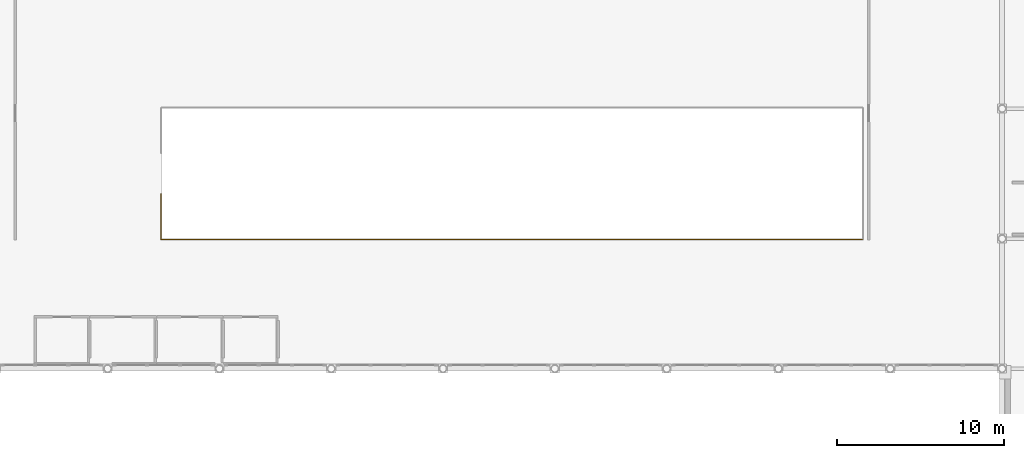
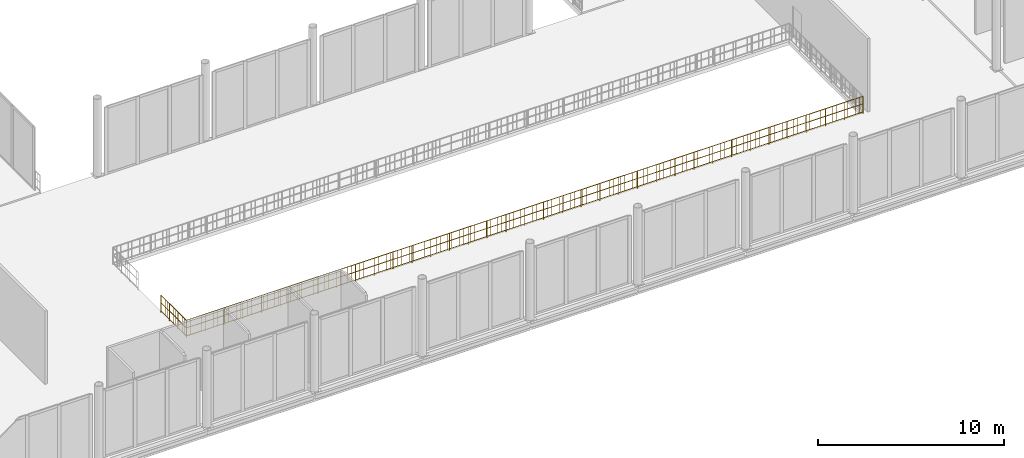
# One storey, part 95 of 105: 2 railings.
"""IFC4 building model written with IfcOpenShell, lengths in metres."""

from ifc_helpers import new_model, si_unit, direction, frame, origin, origin_2d, place, context, subcontext, project, spatial, circle, extrude, material, layer, layer_set, type_object, element, save


model = new_model("IFC4")

# Units and contexts
model_context = context("Model", 3, precision=1e-05, world=origin(), true_north=direction((0.0, 1.0)))
body_context = subcontext(model_context, "Body", "Model", "MODEL_VIEW")
ifc_project = project(units=[si_unit("LENGTHUNIT", "METRE"), si_unit("AREAUNIT", "SQUARE_METRE"), si_unit("VOLUMEUNIT", "CUBIC_METRE"), si_unit("PLANEANGLEUNIT", "RADIAN"), si_unit("MASSUNIT", "GRAM", prefix="KILO")], contexts=[model_context])

# Site, building, storey
site_placement = place(None, origin())
site = spatial("IfcSite", under=ifc_project, at=site_placement, CompositionType="ELEMENT")
building_placement = place(site_placement, origin())
building = spatial("IfcBuilding", under=site, at=building_placement, Name="Nabrawat Pavilion Hospital", CompositionType="ELEMENT")
storey_placement = place(building_placement, frame((0.0, 0.0, 5.10009765625)))
storey = spatial("IfcBuildingStorey", under=building, at=storey_placement, Name="L01", CompositionType="ELEMENT", Elevation=5.10009765625)

# Railings
ifc_material = material(Name="Laminated Toughened Glass and Stainless Steel", Category="steel")
ifc_layer = layer(ifc_material, 0.080078125, Name="Laminated Toughened Glass and Stainless Steel")
ifc_layer_set = layer_set([ifc_layer], Name="Laminated Toughened Glass and Stainless Steel")
railing_type = type_object("IfcRailingType", Name="Main Hall Atrium Void Glass Balustrade 1150", PredefinedType="BALUSTRADE", material=ifc_layer_set)
railing_1_placement = place(storey_placement, frame((75.5400390625, 23.340087890625, 0.0)))
element("IfcRailing", 1, at=railing_1_placement, inside=storey, type_object=railing_type, Name="L01 Main Hall Atrium Gallery Balustrade South", PredefinedType="BALUSTRADE", context=body_context, shape_type="SweptSolid", body=[
    extrude(circle(Radius=0.02392578125, at=origin_2d()), frame((0.0, 0.0, 1.1259765625), z_axis=(1.0, 0.0, 0.0), x_axis=(0.0, 1.0, 0.0)), (0.0, 0.0, 1.0), 42.119873046875),
    extrude(circle(Radius=0.02392578125, at=origin_2d()), frame((0.0, 0.0, 0.10009765625), z_axis=(1.0, 0.0, 0.0), x_axis=(0.0, 1.0, 0.0)), (0.0, 0.0, 1.0), 42.119873046875),
    extrude(circle(Radius=0.02392578125, at=origin_2d()), frame((0.0, 0.0, 0.63232421875), z_axis=(1.0, 0.0, 0.0), x_axis=(0.0, 1.0, 0.0)), (0.0, 0.0, 1.0), 42.119873046875),
    extrude(circle(Radius=0.008056640625, at=origin_2d()), frame((0.2392578125, 0.0, 0.10009765625)), (0.0, 0.0, 1.0), 1.001708984375),
    extrude(circle(Radius=0.008056640625, at=origin_2d()), frame((0.478515625, 0.0, 0.10009765625)), (0.0, 0.0, 1.0), 1.001708984375),
    extrude(circle(Radius=0.008056640625, at=origin_2d()), frame((0.718017578125, 0.0, 0.10009765625)), (0.0, 0.0, 1.0), 1.001708984375),
    extrude(circle(Radius=0.008056640625, at=origin_2d()), frame((0.957275390625, 0.0, 0.10009765625)), (0.0, 0.0, 1.0), 1.001708984375),
    extrude(circle(Radius=0.008056640625, at=origin_2d()), frame((1.435791015625, 0.0, 0.10009765625)), (0.0, 0.0, 1.0), 1.001708984375),
    extrude(circle(Radius=0.008056640625, at=origin_2d()), frame((1.67529296875, 0.0, 0.10009765625)), (0.0, 0.0, 1.0), 1.001708984375),
    extrude(circle(Radius=0.008056640625, at=origin_2d()), frame((1.91455078125, 0.0, 0.10009765625)), (0.0, 0.0, 1.0), 1.001708984375),
    extrude(circle(Radius=0.008056640625, at=origin_2d()), frame((2.15380859375, 0.0, 0.10009765625)), (0.0, 0.0, 1.0), 1.001708984375),
    extrude(circle(Radius=0.008056640625, at=origin_2d()), frame((2.39306640625, 0.0, 0.10009765625)), (0.0, 0.0, 1.0), 1.001708984375),
    extrude(circle(Radius=0.008056640625, at=origin_2d()), frame((2.632568359375, 0.0, 0.10009765625)), (0.0, 0.0, 1.0), 1.001708984375),
    extrude(circle(Radius=0.008056640625, at=origin_2d()), frame((2.871826171875, 0.0, 0.10009765625)), (0.0, 0.0, 1.0), 1.001708984375),
    extrude(circle(Radius=0.008056640625, at=origin_2d()), frame((3.111083984375, 0.0, 0.10009765625)), (0.0, 0.0, 1.0), 1.001708984375),
    extrude(circle(Radius=0.008056640625, at=origin_2d()), frame((3.350341796875, 0.0, 0.10009765625)), (0.0, 0.0, 1.0), 1.001708984375),
    extrude(circle(Radius=0.008056640625, at=origin_2d()), frame((3.58984375, 0.0, 0.10009765625)), (0.0, 0.0, 1.0), 1.001708984375),
    extrude(circle(Radius=0.008056640625, at=origin_2d()), frame((3.8291015625, 0.0, 0.10009765625)), (0.0, 0.0, 1.0), 1.001708984375),
    extrude(circle(Radius=0.008056640625, at=origin_2d()), frame((4.068359375, 0.0, 0.10009765625)), (0.0, 0.0, 1.0), 1.001708984375),
    extrude(circle(Radius=0.008056640625, at=origin_2d()), frame((4.3076171875, 0.0, 0.10009765625)), (0.0, 0.0, 1.0), 1.001708984375),
    extrude(circle(Radius=0.008056640625, at=origin_2d()), frame((4.547119140625, 0.0, 0.10009765625)), (0.0, 0.0, 1.0), 1.001708984375),
    extrude(circle(Radius=0.008056640625, at=origin_2d()), frame((4.786376953125, 0.0, 0.10009765625)), (0.0, 0.0, 1.0), 1.001708984375),
    extrude(circle(Radius=0.008056640625, at=origin_2d()), frame((5.025634765625, 0.0, 0.10009765625)), (0.0, 0.0, 1.0), 1.001708984375),
    extrude(circle(Radius=0.008056640625, at=origin_2d()), frame((5.264892578125, 0.0, 0.10009765625)), (0.0, 0.0, 1.0), 1.001708984375),
    extrude(circle(Radius=0.008056640625, at=origin_2d()), frame((5.50439453125, 0.0, 0.10009765625)), (0.0, 0.0, 1.0), 1.001708984375),
    extrude(circle(Radius=0.008056640625, at=origin_2d()), frame((5.74365234375, 0.0, 0.10009765625)), (0.0, 0.0, 1.0), 1.001708984375),
    extrude(circle(Radius=0.008056640625, at=origin_2d()), frame((5.98291015625, 0.0, 0.10009765625)), (0.0, 0.0, 1.0), 1.001708984375),
    extrude(circle(Radius=0.008056640625, at=origin_2d()), frame((6.22216796875, 0.0, 0.10009765625)), (0.0, 0.0, 1.0), 1.001708984375),
    extrude(circle(Radius=0.008056640625, at=origin_2d()), frame((6.461669921875, 0.0, 0.10009765625)), (0.0, 0.0, 1.0), 1.001708984375),
    extrude(circle(Radius=0.008056640625, at=origin_2d()), frame((6.700927734375, 0.0, 0.10009765625)), (0.0, 0.0, 1.0), 1.001708984375),
    extrude(circle(Radius=0.008056640625, at=origin_2d()), frame((6.940185546875, 0.0, 0.10009765625)), (0.0, 0.0, 1.0), 1.001708984375),
    extrude(circle(Radius=0.008056640625, at=origin_2d()), frame((7.179443359375, 0.0, 0.10009765625)), (0.0, 0.0, 1.0), 1.001708984375),
    extrude(circle(Radius=0.008056640625, at=origin_2d()), frame((7.4189453125, 0.0, 0.10009765625)), (0.0, 0.0, 1.0), 1.001708984375),
    extrude(circle(Radius=0.008056640625, at=origin_2d()), frame((7.658203125, 0.0, 0.10009765625)), (0.0, 0.0, 1.0), 1.001708984375),
    extrude(circle(Radius=0.008056640625, at=origin_2d()), frame((7.8974609375, 0.0, 0.10009765625)), (0.0, 0.0, 1.0), 1.001708984375),
    extrude(circle(Radius=0.008056640625, at=origin_2d()), frame((8.13671875, 0.0, 0.10009765625)), (0.0, 0.0, 1.0), 1.001708984375),
    extrude(circle(Radius=0.008056640625, at=origin_2d()), frame((8.376220703125, 0.0, 0.10009765625)), (0.0, 0.0, 1.0), 1.001708984375),
    extrude(circle(Radius=0.008056640625, at=origin_2d()), frame((8.615478515625, 0.0, 0.10009765625)), (0.0, 0.0, 1.0), 1.001708984375),
    extrude(circle(Radius=0.008056640625, at=origin_2d()), frame((8.854736328125, 0.0, 0.10009765625)), (0.0, 0.0, 1.0), 1.001708984375),
    extrude(circle(Radius=0.008056640625, at=origin_2d()), frame((9.093994140625, 0.0, 0.10009765625)), (0.0, 0.0, 1.0), 1.001708984375),
    extrude(circle(Radius=0.008056640625, at=origin_2d()), frame((9.57275390625, 0.0, 0.10009765625)), (0.0, 0.0, 1.0), 1.001708984375),
    extrude(circle(Radius=0.008056640625, at=origin_2d()), frame((9.81201171875, 0.0, 0.10009765625)), (0.0, 0.0, 1.0), 1.001708984375),
    extrude(circle(Radius=0.008056640625, at=origin_2d()), frame((10.05126953125, 0.0, 0.10009765625)), (0.0, 0.0, 1.0), 1.001708984375),
    extrude(circle(Radius=0.008056640625, at=origin_2d()), frame((10.290771484375, 0.0, 0.10009765625)), (0.0, 0.0, 1.0), 1.001708984375),
    extrude(circle(Radius=0.008056640625, at=origin_2d()), frame((10.769287109375, 0.0, 0.10009765625)), (0.0, 0.0, 1.0), 1.001708984375),
    extrude(circle(Radius=0.008056640625, at=origin_2d()), frame((11.008544921875, 0.0, 0.10009765625)), (0.0, 0.0, 1.0), 1.001708984375),
    extrude(circle(Radius=0.008056640625, at=origin_2d()), frame((11.247802734375, 0.0, 0.10009765625)), (0.0, 0.0, 1.0), 1.001708984375),
    extrude(circle(Radius=0.008056640625, at=origin_2d()), frame((11.4873046875, 0.0, 0.10009765625)), (0.0, 0.0, 1.0), 1.001708984375),
    extrude(circle(Radius=0.008056640625, at=origin_2d()), frame((11.9658203125, 0.0, 0.10009765625)), (0.0, 0.0, 1.0), 1.001708984375),
    extrude(circle(Radius=0.008056640625, at=origin_2d()), frame((12.205078125, 0.0, 0.10009765625)), (0.0, 0.0, 1.0), 1.001708984375),
    extrude(circle(Radius=0.008056640625, at=origin_2d()), frame((12.444580078125, 0.0, 0.10009765625)), (0.0, 0.0, 1.0), 1.001708984375),
    extrude(circle(Radius=0.008056640625, at=origin_2d()), frame((12.683837890625, 0.0, 0.10009765625)), (0.0, 0.0, 1.0), 1.001708984375),
    extrude(circle(Radius=0.008056640625, at=origin_2d()), frame((12.923095703125, 0.0, 0.10009765625)), (0.0, 0.0, 1.0), 1.001708984375),
    extrude(circle(Radius=0.008056640625, at=origin_2d()), frame((13.162353515625, 0.0, 0.10009765625)), (0.0, 0.0, 1.0), 1.001708984375),
    extrude(circle(Radius=0.008056640625, at=origin_2d()), frame((13.40185546875, 0.0, 0.10009765625)), (0.0, 0.0, 1.0), 1.001708984375),
    extrude(circle(Radius=0.008056640625, at=origin_2d()), frame((13.64111328125, 0.0, 0.10009765625)), (0.0, 0.0, 1.0), 1.001708984375),
    extrude(circle(Radius=0.008056640625, at=origin_2d()), frame((13.88037109375, 0.0, 0.10009765625)), (0.0, 0.0, 1.0), 1.001708984375),
    extrude(circle(Radius=0.008056640625, at=origin_2d()), frame((14.11962890625, 0.0, 0.10009765625)), (0.0, 0.0, 1.0), 1.001708984375),
    extrude(circle(Radius=0.008056640625, at=origin_2d()), frame((14.359130859375, 0.0, 0.10009765625)), (0.0, 0.0, 1.0), 1.001708984375),
    extrude(circle(Radius=0.008056640625, at=origin_2d()), frame((14.598388671875, 0.0, 0.10009765625)), (0.0, 0.0, 1.0), 1.001708984375),
    extrude(circle(Radius=0.008056640625, at=origin_2d()), frame((14.837646484375, 0.0, 0.10009765625)), (0.0, 0.0, 1.0), 1.001708984375),
    extrude(circle(Radius=0.008056640625, at=origin_2d()), frame((15.076904296875, 0.0, 0.10009765625)), (0.0, 0.0, 1.0), 1.001708984375),
    extrude(circle(Radius=0.008056640625, at=origin_2d()), frame((15.31640625, 0.0, 0.10009765625)), (0.0, 0.0, 1.0), 1.001708984375),
    extrude(circle(Radius=0.008056640625, at=origin_2d()), frame((15.5556640625, 0.0, 0.10009765625)), (0.0, 0.0, 1.0), 1.001708984375),
    extrude(circle(Radius=0.008056640625, at=origin_2d()), frame((15.794921875, 0.0, 0.10009765625)), (0.0, 0.0, 1.0), 1.001708984375),
    extrude(circle(Radius=0.008056640625, at=origin_2d()), frame((16.0341796875, 0.0, 0.10009765625)), (0.0, 0.0, 1.0), 1.001708984375),
    extrude(circle(Radius=0.008056640625, at=origin_2d()), frame((16.273681640625, 0.0, 0.10009765625)), (0.0, 0.0, 1.0), 1.001708984375),
    extrude(circle(Radius=0.008056640625, at=origin_2d()), frame((16.512939453125, 0.0, 0.10009765625)), (0.0, 0.0, 1.0), 1.001708984375),
    extrude(circle(Radius=0.008056640625, at=origin_2d()), frame((16.752197265625, 0.0, 0.10009765625)), (0.0, 0.0, 1.0), 1.001708984375),
    extrude(circle(Radius=0.008056640625, at=origin_2d()), frame((16.991455078125, 0.0, 0.10009765625)), (0.0, 0.0, 1.0), 1.001708984375),
    extrude(circle(Radius=0.008056640625, at=origin_2d()), frame((17.23095703125, 0.0, 0.10009765625)), (0.0, 0.0, 1.0), 1.001708984375),
    extrude(circle(Radius=0.008056640625, at=origin_2d()), frame((17.47021484375, 0.0, 0.10009765625)), (0.0, 0.0, 1.0), 1.001708984375),
    extrude(circle(Radius=0.008056640625, at=origin_2d()), frame((17.70947265625, 0.0, 0.10009765625)), (0.0, 0.0, 1.0), 1.001708984375),
    extrude(circle(Radius=0.008056640625, at=origin_2d()), frame((17.94873046875, 0.0, 0.10009765625)), (0.0, 0.0, 1.0), 1.001708984375),
    extrude(circle(Radius=0.008056640625, at=origin_2d()), frame((18.188232421875, 0.0, 0.10009765625)), (0.0, 0.0, 1.0), 1.001708984375),
    extrude(circle(Radius=0.008056640625, at=origin_2d()), frame((18.427490234375, 0.0, 0.10009765625)), (0.0, 0.0, 1.0), 1.001708984375),
    extrude(circle(Radius=0.008056640625, at=origin_2d()), frame((18.666748046875, 0.0, 0.10009765625)), (0.0, 0.0, 1.0), 1.001708984375),
    extrude(circle(Radius=0.008056640625, at=origin_2d()), frame((18.906005859375, 0.0, 0.10009765625)), (0.0, 0.0, 1.0), 1.001708984375),
    extrude(circle(Radius=0.008056640625, at=origin_2d()), frame((19.1455078125, 0.0, 0.10009765625)), (0.0, 0.0, 1.0), 1.001708984375),
    extrude(circle(Radius=0.008056640625, at=origin_2d()), frame((19.384765625, 0.0, 0.10009765625)), (0.0, 0.0, 1.0), 1.001708984375),
    extrude(circle(Radius=0.008056640625, at=origin_2d()), frame((19.6240234375, 0.0, 0.10009765625)), (0.0, 0.0, 1.0), 1.001708984375),
    extrude(circle(Radius=0.008056640625, at=origin_2d()), frame((20.102783203125, 0.0, 0.10009765625)), (0.0, 0.0, 1.0), 1.001708984375),
    extrude(circle(Radius=0.008056640625, at=origin_2d()), frame((20.342041015625, 0.0, 0.10009765625)), (0.0, 0.0, 1.0), 1.001708984375),
    extrude(circle(Radius=0.008056640625, at=origin_2d()), frame((20.581298828125, 0.0, 0.10009765625)), (0.0, 0.0, 1.0), 1.001708984375),
    extrude(circle(Radius=0.008056640625, at=origin_2d()), frame((20.820556640625, 0.0, 0.10009765625)), (0.0, 0.0, 1.0), 1.001708984375),
    extrude(circle(Radius=0.008056640625, at=origin_2d()), frame((21.29931640625, 0.0, 0.10009765625)), (0.0, 0.0, 1.0), 1.001708984375),
    extrude(circle(Radius=0.008056640625, at=origin_2d()), frame((21.53857421875, 0.0, 0.10009765625)), (0.0, 0.0, 1.0), 1.001708984375),
    extrude(circle(Radius=0.008056640625, at=origin_2d()), frame((21.77783203125, 0.0, 0.10009765625)), (0.0, 0.0, 1.0), 1.001708984375),
    extrude(circle(Radius=0.008056640625, at=origin_2d()), frame((22.01708984375, 0.0, 0.10009765625)), (0.0, 0.0, 1.0), 1.001708984375),
    extrude(circle(Radius=0.008056640625, at=origin_2d()), frame((22.495849609375, 0.0, 0.10009765625)), (0.0, 0.0, 1.0), 1.001708984375),
    extrude(circle(Radius=0.008056640625, at=origin_2d()), frame((22.735107421875, 0.0, 0.10009765625)), (0.0, 0.0, 1.0), 1.001708984375),
    extrude(circle(Radius=0.008056640625, at=origin_2d()), frame((22.974365234375, 0.0, 0.10009765625)), (0.0, 0.0, 1.0), 1.001708984375),
    extrude(circle(Radius=0.008056640625, at=origin_2d()), frame((23.2138671875, 0.0, 0.10009765625)), (0.0, 0.0, 1.0), 1.001708984375),
    extrude(circle(Radius=0.008056640625, at=origin_2d()), frame((23.453125, 0.0, 0.10009765625)), (0.0, 0.0, 1.0), 1.001708984375),
    extrude(circle(Radius=0.008056640625, at=origin_2d()), frame((23.6923828125, 0.0, 0.10009765625)), (0.0, 0.0, 1.0), 1.001708984375),
    extrude(circle(Radius=0.008056640625, at=origin_2d()), frame((23.931640625, 0.0, 0.10009765625)), (0.0, 0.0, 1.0), 1.001708984375),
    extrude(circle(Radius=0.008056640625, at=origin_2d()), frame((24.171142578125, 0.0, 0.10009765625)), (0.0, 0.0, 1.0), 1.001708984375),
    extrude(circle(Radius=0.008056640625, at=origin_2d()), frame((24.410400390625, 0.0, 0.10009765625)), (0.0, 0.0, 1.0), 1.001708984375),
    extrude(circle(Radius=0.008056640625, at=origin_2d()), frame((24.649658203125, 0.0, 0.10009765625)), (0.0, 0.0, 1.0), 1.001708984375),
    extrude(circle(Radius=0.008056640625, at=origin_2d()), frame((24.888916015625, 0.0, 0.10009765625)), (0.0, 0.0, 1.0), 1.001708984375),
    extrude(circle(Radius=0.008056640625, at=origin_2d()), frame((25.12841796875, 0.0, 0.10009765625)), (0.0, 0.0, 1.0), 1.001708984375),
    extrude(circle(Radius=0.008056640625, at=origin_2d()), frame((25.36767578125, 0.0, 0.10009765625)), (0.0, 0.0, 1.0), 1.001708984375),
    extrude(circle(Radius=0.008056640625, at=origin_2d()), frame((25.60693359375, 0.0, 0.10009765625)), (0.0, 0.0, 1.0), 1.001708984375),
    extrude(circle(Radius=0.008056640625, at=origin_2d()), frame((25.84619140625, 0.0, 0.10009765625)), (0.0, 0.0, 1.0), 1.001708984375),
    extrude(circle(Radius=0.008056640625, at=origin_2d()), frame((26.085693359375, 0.0, 0.10009765625)), (0.0, 0.0, 1.0), 1.001708984375),
    extrude(circle(Radius=0.008056640625, at=origin_2d()), frame((26.324951171875, 0.0, 0.10009765625)), (0.0, 0.0, 1.0), 1.001708984375),
    extrude(circle(Radius=0.008056640625, at=origin_2d()), frame((26.564208984375, 0.0, 0.10009765625)), (0.0, 0.0, 1.0), 1.001708984375),
    extrude(circle(Radius=0.008056640625, at=origin_2d()), frame((26.803466796875, 0.0, 0.10009765625)), (0.0, 0.0, 1.0), 1.001708984375),
    extrude(circle(Radius=0.008056640625, at=origin_2d()), frame((27.04296875, 0.0, 0.10009765625)), (0.0, 0.0, 1.0), 1.001708984375),
    extrude(circle(Radius=0.008056640625, at=origin_2d()), frame((27.2822265625, 0.0, 0.10009765625)), (0.0, 0.0, 1.0), 1.001708984375),
    extrude(circle(Radius=0.008056640625, at=origin_2d()), frame((27.521484375, 0.0, 0.10009765625)), (0.0, 0.0, 1.0), 1.001708984375),
    extrude(circle(Radius=0.008056640625, at=origin_2d()), frame((27.7607421875, 0.0, 0.10009765625)), (0.0, 0.0, 1.0), 1.001708984375),
    extrude(circle(Radius=0.008056640625, at=origin_2d()), frame((28.000244140625, 0.0, 0.10009765625)), (0.0, 0.0, 1.0), 1.001708984375),
    extrude(circle(Radius=0.008056640625, at=origin_2d()), frame((28.239501953125, 0.0, 0.10009765625)), (0.0, 0.0, 1.0), 1.001708984375),
    extrude(circle(Radius=0.008056640625, at=origin_2d()), frame((28.478759765625, 0.0, 0.10009765625)), (0.0, 0.0, 1.0), 1.001708984375),
    extrude(circle(Radius=0.008056640625, at=origin_2d()), frame((28.718017578125, 0.0, 0.10009765625)), (0.0, 0.0, 1.0), 1.001708984375),
    extrude(circle(Radius=0.008056640625, at=origin_2d()), frame((28.95751953125, 0.0, 0.10009765625)), (0.0, 0.0, 1.0), 1.001708984375),
    extrude(circle(Radius=0.008056640625, at=origin_2d()), frame((29.19677734375, 0.0, 0.10009765625)), (0.0, 0.0, 1.0), 1.001708984375),
    extrude(circle(Radius=0.008056640625, at=origin_2d()), frame((29.43603515625, 0.0, 0.10009765625)), (0.0, 0.0, 1.0), 1.001708984375),
    extrude(circle(Radius=0.008056640625, at=origin_2d()), frame((29.67529296875, 0.0, 0.10009765625)), (0.0, 0.0, 1.0), 1.001708984375),
    extrude(circle(Radius=0.008056640625, at=origin_2d()), frame((29.914794921875, 0.0, 0.10009765625)), (0.0, 0.0, 1.0), 1.001708984375),
    extrude(circle(Radius=0.008056640625, at=origin_2d()), frame((30.154052734375, 0.0, 0.10009765625)), (0.0, 0.0, 1.0), 1.001708984375),
    extrude(circle(Radius=0.008056640625, at=origin_2d()), frame((30.632568359375, 0.0, 0.10009765625)), (0.0, 0.0, 1.0), 1.001708984375),
    extrude(circle(Radius=0.008056640625, at=origin_2d()), frame((30.8720703125, 0.0, 0.10009765625)), (0.0, 0.0, 1.0), 1.001708984375),
    extrude(circle(Radius=0.008056640625, at=origin_2d()), frame((31.111328125, 0.0, 0.10009765625)), (0.0, 0.0, 1.0), 1.001708984375),
    extrude(circle(Radius=0.008056640625, at=origin_2d()), frame((31.3505859375, 0.0, 0.10009765625)), (0.0, 0.0, 1.0), 1.001708984375),
    extrude(circle(Radius=0.008056640625, at=origin_2d()), frame((31.8291015625, 0.0, 0.10009765625)), (0.0, 0.0, 1.0), 1.001708984375),
    extrude(circle(Radius=0.008056640625, at=origin_2d()), frame((32.068603515625, 0.0, 0.10009765625)), (0.0, 0.0, 1.0), 1.001708984375),
    extrude(circle(Radius=0.008056640625, at=origin_2d()), frame((32.307861328125, 0.0, 0.10009765625)), (0.0, 0.0, 1.0), 1.001708984375),
    extrude(circle(Radius=0.008056640625, at=origin_2d()), frame((32.547119140625, 0.0, 0.10009765625)), (0.0, 0.0, 1.0), 1.001708984375),
    extrude(circle(Radius=0.008056640625, at=origin_2d()), frame((33.02587890625, 0.0, 0.10009765625)), (0.0, 0.0, 1.0), 1.001708984375),
    extrude(circle(Radius=0.008056640625, at=origin_2d()), frame((33.26513671875, 0.0, 0.10009765625)), (0.0, 0.0, 1.0), 1.001708984375),
    extrude(circle(Radius=0.008056640625, at=origin_2d()), frame((33.50439453125, 0.0, 0.10009765625)), (0.0, 0.0, 1.0), 1.001708984375),
    extrude(circle(Radius=0.008056640625, at=origin_2d()), frame((33.74365234375, 0.0, 0.10009765625)), (0.0, 0.0, 1.0), 1.001708984375),
    extrude(circle(Radius=0.008056640625, at=origin_2d()), frame((33.983154296875, 0.0, 0.10009765625)), (0.0, 0.0, 1.0), 1.001708984375),
    extrude(circle(Radius=0.008056640625, at=origin_2d()), frame((34.222412109375, 0.0, 0.10009765625)), (0.0, 0.0, 1.0), 1.001708984375),
    extrude(circle(Radius=0.008056640625, at=origin_2d()), frame((34.461669921875, 0.0, 0.10009765625)), (0.0, 0.0, 1.0), 1.001708984375),
    extrude(circle(Radius=0.008056640625, at=origin_2d()), frame((34.700927734375, 0.0, 0.10009765625)), (0.0, 0.0, 1.0), 1.001708984375),
    extrude(circle(Radius=0.008056640625, at=origin_2d()), frame((34.9404296875, 0.0, 0.10009765625)), (0.0, 0.0, 1.0), 1.001708984375),
    extrude(circle(Radius=0.008056640625, at=origin_2d()), frame((35.1796875, 0.0, 0.10009765625)), (0.0, 0.0, 1.0), 1.001708984375),
    extrude(circle(Radius=0.008056640625, at=origin_2d()), frame((35.4189453125, 0.0, 0.10009765625)), (0.0, 0.0, 1.0), 1.001708984375),
    extrude(circle(Radius=0.008056640625, at=origin_2d()), frame((35.658203125, 0.0, 0.10009765625)), (0.0, 0.0, 1.0), 1.001708984375),
    extrude(circle(Radius=0.008056640625, at=origin_2d()), frame((35.897705078125, 0.0, 0.10009765625)), (0.0, 0.0, 1.0), 1.001708984375),
    extrude(circle(Radius=0.008056640625, at=origin_2d()), frame((36.136962890625, 0.0, 0.10009765625)), (0.0, 0.0, 1.0), 1.001708984375),
    extrude(circle(Radius=0.008056640625, at=origin_2d()), frame((36.376220703125, 0.0, 0.10009765625)), (0.0, 0.0, 1.0), 1.001708984375),
    extrude(circle(Radius=0.008056640625, at=origin_2d()), frame((36.615478515625, 0.0, 0.10009765625)), (0.0, 0.0, 1.0), 1.001708984375),
    extrude(circle(Radius=0.008056640625, at=origin_2d()), frame((36.85498046875, 0.0, 0.10009765625)), (0.0, 0.0, 1.0), 1.001708984375),
    extrude(circle(Radius=0.008056640625, at=origin_2d()), frame((37.09423828125, 0.0, 0.10009765625)), (0.0, 0.0, 1.0), 1.001708984375),
    extrude(circle(Radius=0.008056640625, at=origin_2d()), frame((37.33349609375, 0.0, 0.10009765625)), (0.0, 0.0, 1.0), 1.001708984375),
    extrude(circle(Radius=0.008056640625, at=origin_2d()), frame((37.57275390625, 0.0, 0.10009765625)), (0.0, 0.0, 1.0), 1.001708984375),
    extrude(circle(Radius=0.008056640625, at=origin_2d()), frame((37.812255859375, 0.0, 0.10009765625)), (0.0, 0.0, 1.0), 1.001708984375),
    extrude(circle(Radius=0.008056640625, at=origin_2d()), frame((38.051513671875, 0.0, 0.10009765625)), (0.0, 0.0, 1.0), 1.001708984375),
    extrude(circle(Radius=0.008056640625, at=origin_2d()), frame((38.290771484375, 0.0, 0.10009765625)), (0.0, 0.0, 1.0), 1.001708984375),
    extrude(circle(Radius=0.008056640625, at=origin_2d()), frame((38.530029296875, 0.0, 0.10009765625)), (0.0, 0.0, 1.0), 1.001708984375),
    extrude(circle(Radius=0.008056640625, at=origin_2d()), frame((38.76953125, 0.0, 0.10009765625)), (0.0, 0.0, 1.0), 1.001708984375),
    extrude(circle(Radius=0.008056640625, at=origin_2d()), frame((39.0087890625, 0.0, 0.10009765625)), (0.0, 0.0, 1.0), 1.001708984375),
    extrude(circle(Radius=0.008056640625, at=origin_2d()), frame((39.248046875, 0.0, 0.10009765625)), (0.0, 0.0, 1.0), 1.001708984375),
    extrude(circle(Radius=0.008056640625, at=origin_2d()), frame((39.4873046875, 0.0, 0.10009765625)), (0.0, 0.0, 1.0), 1.001708984375),
    extrude(circle(Radius=0.008056640625, at=origin_2d()), frame((39.726806640625, 0.0, 0.10009765625)), (0.0, 0.0, 1.0), 1.001708984375),
    extrude(circle(Radius=0.008056640625, at=origin_2d()), frame((39.966064453125, 0.0, 0.10009765625)), (0.0, 0.0, 1.0), 1.001708984375),
    extrude(circle(Radius=0.008056640625, at=origin_2d()), frame((40.205322265625, 0.0, 0.10009765625)), (0.0, 0.0, 1.0), 1.001708984375),
    extrude(circle(Radius=0.008056640625, at=origin_2d()), frame((40.444580078125, 0.0, 0.10009765625)), (0.0, 0.0, 1.0), 1.001708984375),
    extrude(circle(Radius=0.008056640625, at=origin_2d()), frame((40.68408203125, 0.0, 0.10009765625)), (0.0, 0.0, 1.0), 1.001708984375),
    extrude(circle(Radius=0.008056640625, at=origin_2d()), frame((41.16259765625, 0.0, 0.10009765625)), (0.0, 0.0, 1.0), 1.001708984375),
    extrude(circle(Radius=0.008056640625, at=origin_2d()), frame((41.40185546875, 0.0, 0.10009765625)), (0.0, 0.0, 1.0), 1.001708984375),
    extrude(circle(Radius=0.008056640625, at=origin_2d()), frame((41.641357421875, 0.0, 0.10009765625)), (0.0, 0.0, 1.0), 1.001708984375),
    extrude(circle(Radius=0.008056640625, at=origin_2d()), frame((41.880615234375, 0.0, 0.10009765625)), (0.0, 0.0, 1.0), 1.001708984375),
    extrude(circle(Radius=0.02099609375, at=origin_2d()), origin(), (0.0, 0.0, 1.0), 1.101806640625),
    extrude(circle(Radius=0.02099609375, at=origin_2d()), frame((1.169921875, 0.0, 0.0)), (0.0, 0.0, 1.0), 1.101806640625),
    extrude(circle(Radius=0.02099609375, at=origin_2d()), frame((2.340087890625, 0.0, 0.0)), (0.0, 0.0, 1.0), 1.101806640625),
    extrude(circle(Radius=0.02099609375, at=origin_2d()), frame((3.510009765625, 0.0, 0.0)), (0.0, 0.0, 1.0), 1.101806640625),
    extrude(circle(Radius=0.02099609375, at=origin_2d()), frame((4.679931640625, 0.0, 0.0)), (0.0, 0.0, 1.0), 1.101806640625),
    extrude(circle(Radius=0.02099609375, at=origin_2d()), frame((5.85009765625, 0.0, 0.0)), (0.0, 0.0, 1.0), 1.101806640625),
    extrude(circle(Radius=0.02099609375, at=origin_2d()), frame((7.02001953125, 0.0, 0.0)), (0.0, 0.0, 1.0), 1.101806640625),
    extrude(circle(Radius=0.02099609375, at=origin_2d()), frame((8.18994140625, 0.0, 0.0)), (0.0, 0.0, 1.0), 1.101806640625),
    extrude(circle(Radius=0.02099609375, at=origin_2d()), frame((9.35986328125, 0.0, 0.0)), (0.0, 0.0, 1.0), 1.101806640625),
    extrude(circle(Radius=0.02099609375, at=origin_2d()), frame((10.530029296875, 0.0, 0.0)), (0.0, 0.0, 1.0), 1.101806640625),
    extrude(circle(Radius=0.02099609375, at=origin_2d()), frame((11.699951171875, 0.0, 0.0)), (0.0, 0.0, 1.0), 1.101806640625),
    extrude(circle(Radius=0.02099609375, at=origin_2d()), frame((12.869873046875, 0.0, 0.0)), (0.0, 0.0, 1.0), 1.101806640625),
    extrude(circle(Radius=0.02099609375, at=origin_2d()), frame((14.0400390625, 0.0, 0.0)), (0.0, 0.0, 1.0), 1.101806640625),
    extrude(circle(Radius=0.02099609375, at=origin_2d()), frame((15.2099609375, 0.0, 0.0)), (0.0, 0.0, 1.0), 1.101806640625),
    extrude(circle(Radius=0.02099609375, at=origin_2d()), frame((16.3798828125, 0.0, 0.0)), (0.0, 0.0, 1.0), 1.101806640625),
    extrude(circle(Radius=0.02099609375, at=origin_2d()), frame((17.550048828125, 0.0, 0.0)), (0.0, 0.0, 1.0), 1.101806640625),
    extrude(circle(Radius=0.02099609375, at=origin_2d()), frame((18.719970703125, 0.0, 0.0)), (0.0, 0.0, 1.0), 1.101806640625),
    extrude(circle(Radius=0.02099609375, at=origin_2d()), frame((19.889892578125, 0.0, 0.0)), (0.0, 0.0, 1.0), 1.101806640625),
    extrude(circle(Radius=0.02099609375, at=origin_2d()), frame((21.06005859375, 0.0, 0.0)), (0.0, 0.0, 1.0), 1.101806640625),
    extrude(circle(Radius=0.02099609375, at=origin_2d()), frame((22.22998046875, 0.0, 0.0)), (0.0, 0.0, 1.0), 1.101806640625),
    extrude(circle(Radius=0.02099609375, at=origin_2d()), frame((23.39990234375, 0.0, 0.0)), (0.0, 0.0, 1.0), 1.101806640625),
    extrude(circle(Radius=0.02099609375, at=origin_2d()), frame((24.56982421875, 0.0, 0.0)), (0.0, 0.0, 1.0), 1.101806640625),
    extrude(circle(Radius=0.02099609375, at=origin_2d()), frame((25.739990234375, 0.0, 0.0)), (0.0, 0.0, 1.0), 1.101806640625),
    extrude(circle(Radius=0.02099609375, at=origin_2d()), frame((26.909912109375, 0.0, 0.0)), (0.0, 0.0, 1.0), 1.101806640625),
    extrude(circle(Radius=0.02099609375, at=origin_2d()), frame((28.079833984375, 0.0, 0.0)), (0.0, 0.0, 1.0), 1.101806640625),
    extrude(circle(Radius=0.02099609375, at=origin_2d()), frame((29.25, 0.0, 0.0)), (0.0, 0.0, 1.0), 1.101806640625),
    extrude(circle(Radius=0.02099609375, at=origin_2d()), frame((30.419921875, 0.0, 0.0)), (0.0, 0.0, 1.0), 1.101806640625),
    extrude(circle(Radius=0.02099609375, at=origin_2d()), frame((31.58984375, 0.0, 0.0)), (0.0, 0.0, 1.0), 1.101806640625),
    extrude(circle(Radius=0.02099609375, at=origin_2d()), frame((32.760009765625, 0.0, 0.0)), (0.0, 0.0, 1.0), 1.101806640625),
    extrude(circle(Radius=0.02099609375, at=origin_2d()), frame((33.929931640625, 0.0, 0.0)), (0.0, 0.0, 1.0), 1.101806640625),
    extrude(circle(Radius=0.02099609375, at=origin_2d()), frame((35.099853515625, 0.0, 0.0)), (0.0, 0.0, 1.0), 1.101806640625),
    extrude(circle(Radius=0.02099609375, at=origin_2d()), frame((36.269775390625, 0.0, 0.0)), (0.0, 0.0, 1.0), 1.101806640625),
    extrude(circle(Radius=0.02099609375, at=origin_2d()), frame((37.43994140625, 0.0, 0.0)), (0.0, 0.0, 1.0), 1.101806640625),
    extrude(circle(Radius=0.02099609375, at=origin_2d()), frame((38.60986328125, 0.0, 0.0)), (0.0, 0.0, 1.0), 1.101806640625),
    extrude(circle(Radius=0.02099609375, at=origin_2d()), frame((39.77978515625, 0.0, 0.0)), (0.0, 0.0, 1.0), 1.101806640625),
    extrude(circle(Radius=0.02099609375, at=origin_2d()), frame((40.949951171875, 0.0, 0.0)), (0.0, 0.0, 1.0), 1.101806640625),
    extrude(circle(Radius=0.02099609375, at=origin_2d()), frame((42.119873046875, 0.0, 0.0)), (0.0, 0.0, 1.0), 1.101806640625),
])
railing_2_placement = place(storey_placement, frame((75.5400390625, 23.340087890625, 0.0)))
element("IfcRailing", 2, at=railing_2_placement, inside=storey, type_object=railing_type, Name="L01 Main Hall Atrium Gallery Balustrade West-S", PredefinedType="BALUSTRADE", context=body_context, shape_type="SweptSolid", body=[
    extrude(circle(Radius=0.02392578125, at=origin_2d()), frame((0.0, 0.0, 1.1259765625), z_axis=(0.0, 1.0, 0.0), x_axis=(-1.0, 0.0, 0.0)), (0.0, 0.0, 1.0), 2.739990234375),
    extrude(circle(Radius=0.02392578125, at=origin_2d()), frame((0.0, 0.0, 0.10009765625), z_axis=(0.0, 1.0, 0.0), x_axis=(-1.0, 0.0, 0.0)), (0.0, 0.0, 1.0), 2.739990234375),
    extrude(circle(Radius=0.02392578125, at=origin_2d()), frame((0.0, 0.0, 0.63232421875), z_axis=(0.0, 1.0, 0.0), x_axis=(-1.0, 0.0, 0.0)), (0.0, 0.0, 1.0), 2.739990234375),
    extrude(circle(Radius=0.008056640625, at=origin_2d()), frame((0.0, 0.228271484375, 0.10009765625)), (0.0, 0.0, 1.0), 1.001708984375),
    extrude(circle(Radius=0.008056640625, at=origin_2d()), frame((0.0, 0.45654296875, 0.10009765625)), (0.0, 0.0, 1.0), 1.001708984375),
    extrude(circle(Radius=0.008056640625, at=origin_2d()), frame((0.0, 0.68505859375, 0.10009765625)), (0.0, 0.0, 1.0), 1.001708984375),
    extrude(circle(Radius=0.008056640625, at=origin_2d()), frame((0.0, 1.1416015625, 0.10009765625)), (0.0, 0.0, 1.0), 1.001708984375),
    extrude(circle(Radius=0.008056640625, at=origin_2d()), frame((0.0, 1.3701171875, 0.10009765625)), (0.0, 0.0, 1.0), 1.001708984375),
    extrude(circle(Radius=0.008056640625, at=origin_2d()), frame((0.0, 1.598388671875, 0.10009765625)), (0.0, 0.0, 1.0), 1.001708984375),
    extrude(circle(Radius=0.008056640625, at=origin_2d()), frame((0.0, 2.054931640625, 0.10009765625)), (0.0, 0.0, 1.0), 1.001708984375),
    extrude(circle(Radius=0.008056640625, at=origin_2d()), frame((0.0, 2.283203125, 0.10009765625)), (0.0, 0.0, 1.0), 1.001708984375),
    extrude(circle(Radius=0.008056640625, at=origin_2d()), frame((0.0, 2.51171875, 0.10009765625)), (0.0, 0.0, 1.0), 1.001708984375),
    extrude(circle(Radius=0.02099609375, at=origin_2d()), origin(), (0.0, 0.0, 1.0), 1.101806640625),
    extrude(circle(Radius=0.02099609375, at=origin_2d()), frame((0.0, 0.913330078125, 0.0)), (0.0, 0.0, 1.0), 1.101806640625),
    extrude(circle(Radius=0.02099609375, at=origin_2d()), frame((0.0, 1.82666015625, 0.0)), (0.0, 0.0, 1.0), 1.101806640625),
    extrude(circle(Radius=0.02099609375, at=origin_2d()), frame((0.0, 2.739990234375, 0.0)), (0.0, 0.0, 1.0), 1.101806640625),
])

save(model, "model.ifc")
